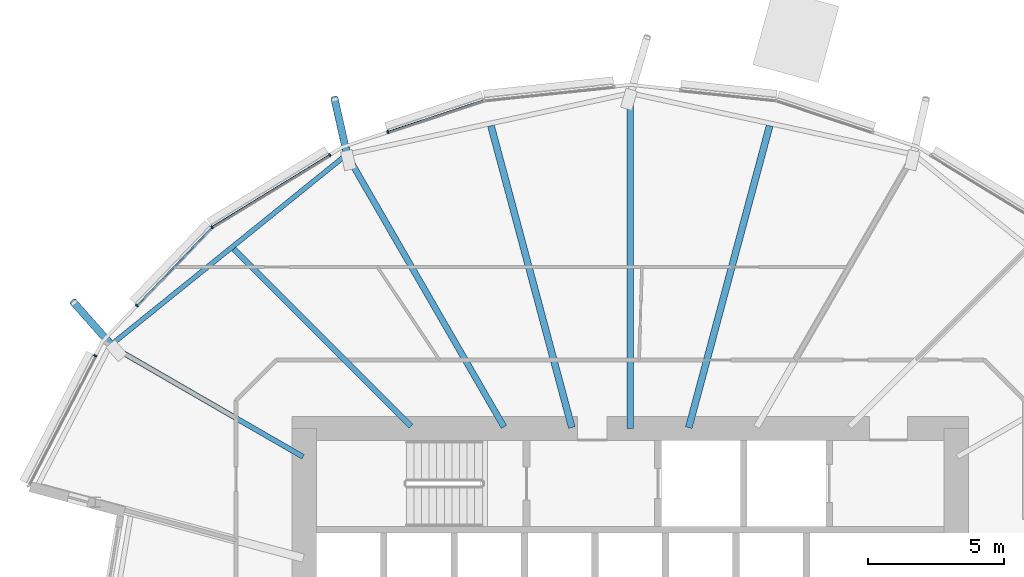
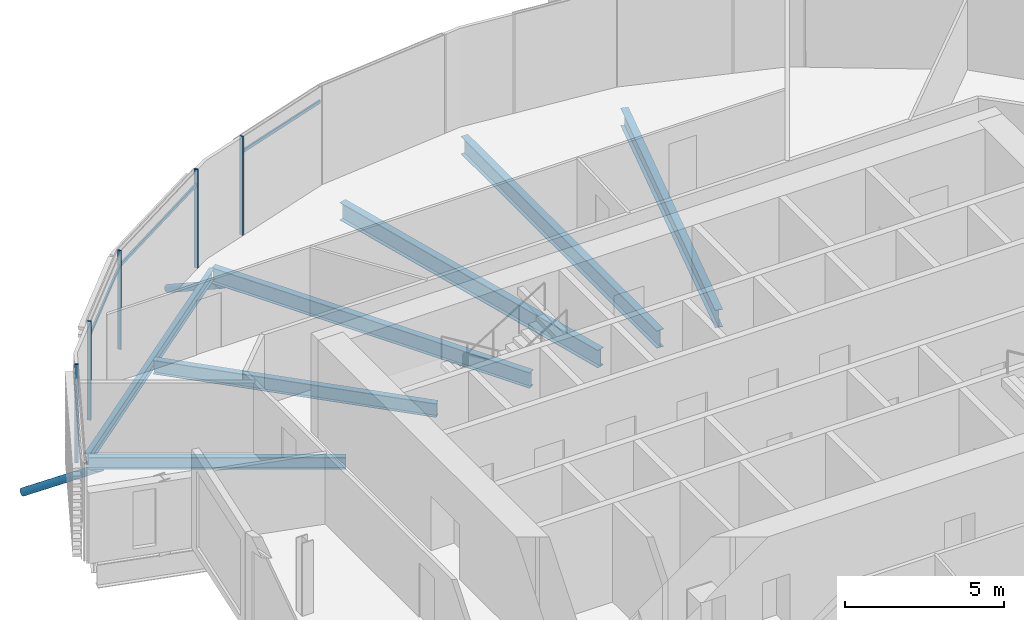
# One storey, part 9 of 38: 10 members, 7 beams, 1 element without a shape of its own.
"""IFC4 building model written with IfcOpenShell, lengths in metres."""

from ifc_helpers import new_model, si_unit, direction, frame, origin, origin_2d, place, context, subcontext, project, spatial, rectangle, hollow_circle, i_section, extrude, clip, halfspace, material, material_profile, profile_set, type_object, element, aggregate, save


model = new_model("IFC4")

# Units and contexts
model_context = context("Model", 3, precision=1e-05, world=origin(), true_north=direction((0.0, 1.0)))
body_context = subcontext(model_context, "Body", "Model", "MODEL_VIEW")
ifc_project = project(units=[si_unit("LENGTHUNIT", "METRE"), si_unit("AREAUNIT", "SQUARE_METRE"), si_unit("VOLUMEUNIT", "CUBIC_METRE"), si_unit("PLANEANGLEUNIT", "RADIAN"), si_unit("MASSUNIT", "GRAM", prefix="KILO")], contexts=[model_context])

# Site, building, storey
site_placement = place(None, origin())
site = spatial("IfcSite", under=ifc_project, at=site_placement, CompositionType="ELEMENT")
building_placement = place(site_placement, origin())
building = spatial("IfcBuilding", under=site, at=building_placement, Name="Rimbun Link Towers", CompositionType="ELEMENT")
storey_placement = place(building_placement, frame((0.0, 0.0, 56.60009765625)))
storey = spatial("IfcBuildingStorey", under=building, at=storey_placement, Name="L13", CompositionType="ELEMENT", Elevation=56.60009765625)

# Curtain wall, members
ifc_material_1 = material(Name="Aluminium 6063-T6 and low-iron glass", Category="aluminium")
curtain_wall_type = type_object("IfcCurtainWallType", Name="CW1 unitised vision wall", PredefinedType="NOTDEFINED", material=ifc_material_1)
curtain_wall_placement = place(storey_placement, origin())
curtain_wall = element("IfcCurtainWall", 1, at=curtain_wall_placement, inside=storey, type_object=curtain_wall_type, Name="CW1 L13 T1", PredefinedType="NOTDEFINED")
ifc_material_2 = material(Name="Aluminium 6063-T6", Category="aluminium")
ifc_material_profile_1 = material_profile(ifc_material_2, rectangle(XDim=0.1201171875, YDim=0.06005859375, at=origin_2d()), Name="MULLION 60X120")
ifc_profile_set_1 = profile_set([ifc_material_profile_1], Name="Aluminium 6063-T6")
member_type_1 = type_object("IfcMemberType", Name="CW1 mullion 60X120", PredefinedType="MULLION", material=ifc_profile_set_1)
member_1_placement = place(storey_placement, frame((-40.6787109375, 18.9169921875, 0.0), z_axis=(0.0, 0.0, 1.0), x_axis=(-0.314563424855, 0.949236457235, 0.0)))
member_1 = element("IfcMember", 2, at=member_1_placement, type_object=member_type_1, Name="CW1 mullion", PredefinedType="MULLION", context=body_context, shape_type="SweptSolid", body=[
    extrude(rectangle(XDim=0.1201171875, YDim=0.06005859375, at=origin_2d()), origin(), (0.0, 0.0, 1.0), 3.7998046875),
])
member_2_placement = place(storey_placement, frame((-47.1533203125, 15.412353515625, 0.0), z_axis=(0.0, 0.0, 1.0), x_axis=(-0.627665729285, 0.778482968524, 0.0)))
member_2 = element("IfcMember", 3, at=member_2_placement, type_object=member_type_1, Name="CW1 mullion", PredefinedType="MULLION", context=body_context, shape_type="SweptSolid", body=[
    extrude(rectangle(XDim=0.1201171875, YDim=0.06005859375, at=origin_2d()), origin(), (0.0, 0.0, 1.0), 3.7998046875),
])
member_3_placement = place(storey_placement, frame((-42.821044921875, 18.07275390625, 0.0), z_axis=(0.0, 0.0, 1.0), x_axis=(-0.523243332621, 0.852183322336, 0.0)))
member_3 = element("IfcMember", 4, at=member_3_placement, type_object=member_type_1, Name="CW1 mullion", PredefinedType="MULLION", context=body_context, shape_type="SweptSolid", body=[
    extrude(rectangle(XDim=0.1201171875, YDim=0.06005859375, at=origin_2d()), origin(), (0.0, 0.0, 1.0), 3.7998046875),
])
member_4_placement = place(storey_placement, frame((-49.921142578125, 12.526123046875, 0.0), z_axis=(0.0, 0.0, 1.0), x_axis=(-0.721834717261, 0.692065488922, 0.0)))
member_4 = element("IfcMember", 5, at=member_4_placement, type_object=member_type_1, Name="CW1 mullion", PredefinedType="MULLION", context=body_context, shape_type="SweptSolid", body=[
    extrude(rectangle(XDim=0.1201171875, YDim=0.06005859375, at=origin_2d()), origin(), (0.0, 0.0, 1.0), 3.7998046875),
])
member_5_placement = place(storey_placement, frame((-51.452392578125, 10.679931640625, 0.0), z_axis=(0.0, 0.0, 1.0), x_axis=(-0.888156623203, 0.459540871589, 0.0)))
member_5 = element("IfcMember", 6, at=member_5_placement, type_object=member_type_1, Name="CW1 mullion", PredefinedType="MULLION", context=body_context, shape_type="SweptSolid", body=[
    extrude(rectangle(XDim=0.1201171875, YDim=0.06005859375, at=origin_2d()), origin(), (0.0, 0.0, 1.0), 3.7998046875),
])
ifc_material_3 = material(Name="Aluminium 6063-T6", Category="aluminium")
ifc_material_profile_2 = material_profile(ifc_material_3, rectangle(XDim=0.06005859375, YDim=0.1201171875, at=origin_2d()), Name="TRANSOM 60X120")
ifc_profile_set_2 = profile_set([ifc_material_profile_2], Name="Aluminium 6063-T6")
member_type_2 = type_object("IfcMemberType", Name="CW1 transom 60X120", PredefinedType="USERDEFINED", material=ifc_profile_set_2)
member_6_placement = place(storey_placement, frame((-40.649658203125, 18.924560546875, 3.199951171875), z_axis=(0.949240429316, 0.314551438326, 0.0), x_axis=(-0.314551438326, 0.949240429316, 0.0)))
member_6 = element("IfcMember", 7, at=member_6_placement, type_object=member_type_2, Name="CW1 transom", ObjectType="TRANSOM", PredefinedType="USERDEFINED", context=body_context, shape_type="SweptSolid", body=[
    extrude(rectangle(XDim=0.06005859375, YDim=0.1201171875, at=origin_2d()), origin(), (0.0, 0.0, 1.0), 3.671142578125),
])
member_7_placement = place(storey_placement, frame((-47.120361328125, 15.4306640625, 3.199951171875), z_axis=(0.852174271699, 0.523258072708, 0.0), x_axis=(-0.523258072708, 0.852174271699, 0.0)))
member_7 = element("IfcMember", 8, at=member_7_placement, type_object=member_type_2, Name="CW1 transom", ObjectType="TRANSOM", PredefinedType="USERDEFINED", context=body_context, shape_type="SweptSolid", body=[
    extrude(rectangle(XDim=0.06005859375, YDim=0.1201171875, at=origin_2d()), origin(), (0.0, 0.0, 1.0), 5.01611328125),
])
member_8_placement = place(storey_placement, frame((-49.89892578125, 12.54638671875, 3.199951171875), z_axis=(0.692076647079, 0.721824019113, 0.0), x_axis=(-0.721824019113, 0.692076647079, 0.0)))
member_8 = element("IfcMember", 9, at=member_8_placement, type_object=member_type_2, Name="CW1 transom", ObjectType="TRANSOM", PredefinedType="USERDEFINED", context=body_context, shape_type="SweptSolid", body=[
    extrude(rectangle(XDim=0.06005859375, YDim=0.1201171875, at=origin_2d()), origin(), (0.0, 0.0, 1.0), 3.93115234375),
])
aggregate(curtain_wall, [member_1, member_2, member_3, member_4, member_5, member_6, member_7, member_8])

# Members
ifc_material_4 = material(Name="Steel S355J2H", Category="steel")
ifc_material_profile_3 = material_profile(ifc_material_4, hollow_circle(Radius=0.136474609375, WallThickness=0.012451171875, at=origin_2d()), Name="CHS 273x12.5")
ifc_profile_set_3 = profile_set([ifc_material_profile_3], Name="Steel S355J2H")
member_type_3 = type_object("IfcMemberType", Name="Floor edge link CHS 273x12.5", PredefinedType="BRACE", material=ifc_profile_set_3)
member_9_placement = place(storey_placement, frame((-42.16845703125, 18.045166015625, -0.880615234375), z_axis=(-0.190487395682, 0.845129727421, -0.499470015032), x_axis=(-0.975527318189, -0.21987826511, 0.0)))
element("IfcMember", 10, at=member_9_placement, inside=storey, type_object=member_type_3, Name="Floor edge link T1 L13 08", PredefinedType="BRACE", context=body_context, shape_type="Clipping", body=[
    clip(extrude(hollow_circle(Radius=0.136474609375, WallThickness=0.012451171875, at=origin_2d()), frame((0.0, 0.0, -0.493408203125)), (0.0, 0.0, 1.0), 3.0029296875), halfspace(frame((0.0, 0.0, -0.232177734375), z_axis=(0.0, 0.8663311746, -0.499470015032)), False)),
])
member_10_placement = place(storey_placement, frame((-50.779296875, 10.986572265625, -0.730712890625), z_axis=(-0.571011602354, 0.645222496523, -0.50757627994), x_axis=(-0.748859547265, -0.662728736717, 0.0)))
element("IfcMember", 11, at=member_10_placement, inside=storey, type_object=member_type_3, Name="Floor edge link T1 L13 10", PredefinedType="BRACE", context=body_context, shape_type="Clipping", body=[
    clip(extrude(hollow_circle(Radius=0.136474609375, WallThickness=0.012451171875, at=origin_2d()), frame((0.0, 0.0, -0.483154296875)), (0.0, 0.0, 1.0), 3.088623046875), halfspace(frame((0.0, 0.0, -0.22705078125), z_axis=(0.0, 0.86160682451, -0.50757627994)), False)),
])

# Beams
ifc_material_5 = material(Name="Steel S355J2", Category="steel")
ifc_material_profile_4 = material_profile(ifc_material_5, i_section(OverallWidth=0.177978515625, OverallDepth=0.406494140625, WebThickness=0.0078125, FlangeThickness=0.0126953125, at=origin_2d()), Name="UB 406x178x60")
ifc_profile_set_4 = profile_set([ifc_material_profile_4], Name="Steel S355J2")
beam_type_1 = type_object("IfcBeamType", Name="UB 406x178x60", PredefinedType="BEAM", material=ifc_profile_set_4)
beam_1_placement = place(storey_placement, frame((-42.28369140625, 18.015380859375, -0.36328125), z_axis=(-0.77798007957, -0.628288942917, 0.0), x_axis=(0.628288942917, -0.77798007957, 0.0)))
element("IfcBeam", 12, at=beam_1_placement, inside=storey, type_object=beam_type_1, Name="Edge beam T1 L13 08-10", PredefinedType="BEAM", context=body_context, shape_type="SweptSolid", body=[
    extrude(i_section(OverallWidth=0.177978515625, OverallDepth=0.406494140625, WebThickness=0.0078125, FlangeThickness=0.0126953125, at=origin_2d()), origin(), (0.0, 0.0, 1.0), 10.97314453125),
])
ifc_material_6 = material(Name="Steel S355J2", Category="steel")
ifc_material_profile_5 = material_profile(ifc_material_6, i_section(OverallWidth=0.18994140625, OverallDepth=0.453369140625, WebThickness=0.008544921875, FlangeThickness=0.0126953125, at=origin_2d()), Name="UB 457x191x67")
ifc_profile_set_5 = profile_set([ifc_material_profile_5], Name="Steel S355J2")
beam_type_2 = type_object("IfcBeamType", Name="UB 457x191x67", PredefinedType="BEAM", material=ifc_profile_set_5)
beam_2_placement = place(storey_placement, frame((-43.79833984375, 6.9560546875, -0.38671875), z_axis=(-0.866011647569, 0.500023825707, 0.0), x_axis=(-0.500023825707, -0.866011647569, 0.0)))
element("IfcBeam", 13, at=beam_2_placement, inside=storey, type_object=beam_type_2, Name="Radial beam T1 L13 10", PredefinedType="BEAM", context=body_context, shape_type="SweptSolid", body=[
    extrude(i_section(OverallWidth=0.18994140625, OverallDepth=0.453369140625, WebThickness=0.008544921875, FlangeThickness=0.0126953125, at=origin_2d()), origin(), (0.0, 0.0, 1.0), 8.11083984375),
])
ifc_material_7 = material(Name="Steel S355J2", Category="steel")
ifc_material_profile_6 = material_profile(ifc_material_7, i_section(OverallWidth=0.209228515625, OverallDepth=0.533203125, WebThickness=0.010009765625, FlangeThickness=0.015625, at=origin_2d()), Name="UB 533x210x92")
ifc_profile_set_6 = profile_set([ifc_material_profile_6], Name="Steel S355J2")
beam_type_3 = type_object("IfcBeamType", Name="UB 533x210x92", PredefinedType="BEAM", material=ifc_profile_set_6)
beam_3_placement = place(storey_placement, frame((-39.82470703125, 8.07470703125, -0.426513671875), z_axis=(-0.707106781187, 0.707106781187, 0.0), x_axis=(-0.707106781187, -0.707106781187, 0.0)))
element("IfcBeam", 14, at=beam_3_placement, inside=storey, type_object=beam_type_3, Name="Radial beam T1 L13 09", PredefinedType="BEAM", context=body_context, shape_type="SweptSolid", body=[
    extrude(i_section(OverallWidth=0.209228515625, OverallDepth=0.533203125, WebThickness=0.010009765625, FlangeThickness=0.015625, at=origin_2d()), origin(), (0.0, 0.0, 1.0), 9.24072265625),
])
ifc_material_8 = material(Name="Steel S355J2", Category="steel")
ifc_material_profile_7 = material_profile(ifc_material_8, i_section(OverallWidth=0.2275390625, OverallDepth=0.6025390625, WebThickness=0.010498046875, FlangeThickness=0.014892578125, at=origin_2d()), Name="UB 610x229x101")
ifc_profile_set_7 = profile_set([ifc_material_profile_7], Name="Steel S355J2")
beam_type_4 = type_object("IfcBeamType", Name="UB 610x229x101", PredefinedType="BEAM", material=ifc_profile_set_7)
beam_4_placement = place(storey_placement, frame((-36.402099609375, 8.057861328125, -0.46142578125), z_axis=(-0.500008919292, 0.866020254168, 0.0), x_axis=(-0.866020254168, -0.500008919292, 0.0)))
element("IfcBeam", 15, at=beam_4_placement, inside=storey, type_object=beam_type_4, Name="Radial beam T1 L13 08", PredefinedType="BEAM", context=body_context, shape_type="SweptSolid", body=[
    extrude(i_section(OverallWidth=0.2275390625, OverallDepth=0.6025390625, WebThickness=0.010498046875, FlangeThickness=0.014892578125, at=origin_2d()), origin(), (0.0, 0.0, 1.0), 11.582275390625),
])
ifc_material_9 = material(Name="Steel S355J2", Category="steel")
ifc_material_profile_8 = material_profile(ifc_material_9, i_section(OverallWidth=0.253662109375, OverallDepth=0.68359375, WebThickness=0.012451171875, FlangeThickness=0.01904296875, at=origin_2d()), Name="UB 686x254x140")
ifc_profile_set_8 = profile_set([ifc_material_profile_8], Name="Steel S355J2")
beam_type_5 = type_object("IfcBeamType", Name="UB 686x254x140", PredefinedType="BEAM", material=ifc_profile_set_8)
beam_5_placement = place(storey_placement, frame((-29.597412109375, 8.03369140625, -0.501708984375), z_axis=(0.258819531339, 0.965925696002, 0.0), x_axis=(-0.965925696002, 0.258819531339, 0.0)))
element("IfcBeam", 16, at=beam_5_placement, inside=storey, type_object=beam_type_5, Name="Radial beam T1 L13 05", PredefinedType="BEAM", context=body_context, shape_type="SweptSolid", body=[
    extrude(i_section(OverallWidth=0.253662109375, OverallDepth=0.68359375, WebThickness=0.012451171875, FlangeThickness=0.01904296875, at=origin_2d()), origin(), (0.0, 0.0, 1.0), 11.50439453125),
])
beam_6_placement = place(storey_placement, frame((-31.75, 8.0009765625, -0.501708984375), z_axis=(0.0, 1.0, 0.0), x_axis=(-1.0, 0.0, 0.0)))
element("IfcBeam", 17, at=beam_6_placement, inside=storey, type_object=beam_type_5, Name="Radial beam T1 L13 06", PredefinedType="BEAM", context=body_context, shape_type="SweptSolid", body=[
    extrude(i_section(OverallWidth=0.253662109375, OverallDepth=0.68359375, WebThickness=0.012451171875, FlangeThickness=0.01904296875, at=origin_2d()), origin(), (0.0, 0.0, 1.0), 12.3466796875),
])
beam_7_placement = place(storey_placement, frame((-33.902587890625, 8.03369140625, -0.501708984375), z_axis=(-0.258819531339, 0.965925696002, 0.0), x_axis=(-0.965925696002, -0.258819531339, 0.0)))
element("IfcBeam", 18, at=beam_7_placement, inside=storey, type_object=beam_type_5, Name="Radial beam T1 L13 07", PredefinedType="BEAM", context=body_context, shape_type="SweptSolid", body=[
    extrude(i_section(OverallWidth=0.253662109375, OverallDepth=0.68359375, WebThickness=0.012451171875, FlangeThickness=0.01904296875, at=origin_2d()), origin(), (0.0, 0.0, 1.0), 11.50439453125),
])

save(model, "model.ifc")
